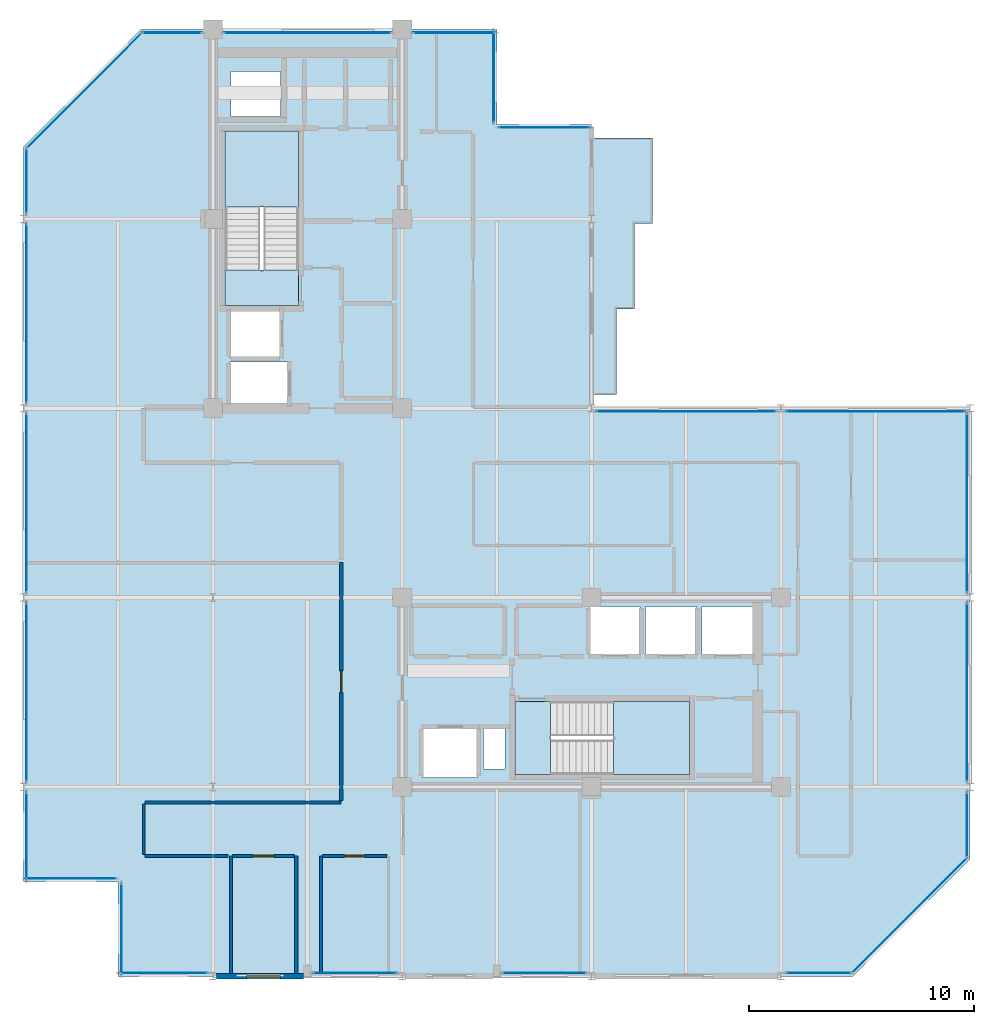
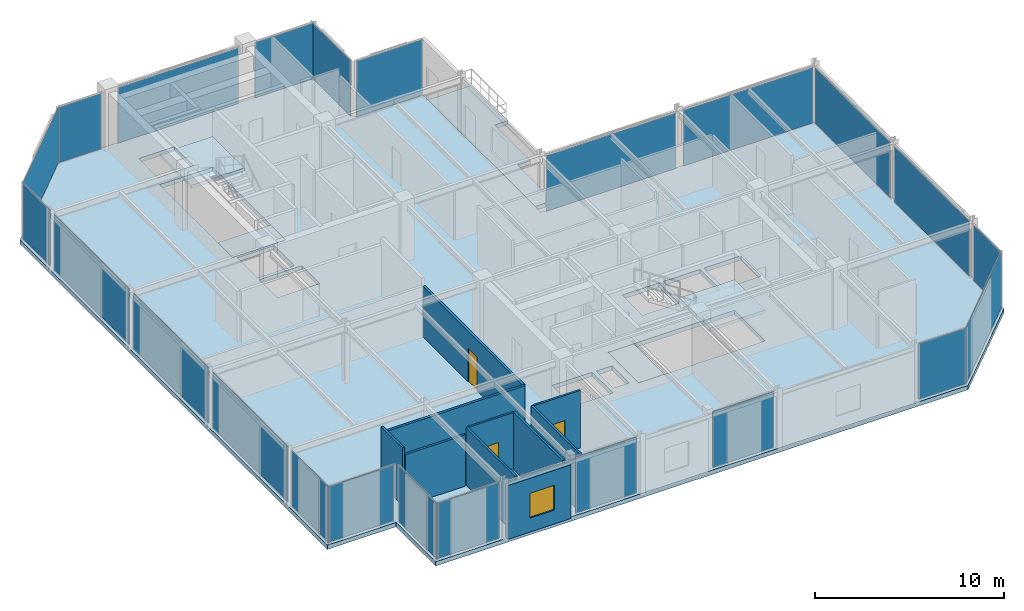
# One storey, part 20 of 26: 23 plates, 10 walls, 6 slabs, 3 doors, 1 window, 4 openings, 25 elements without a shape of their own.
"""IFC4 building model written with IfcOpenShell, lengths in metres."""

from ifc_helpers import new_model, si_unit, direction, frame, frame_2d, origin, origin_2d, place, context, subcontext, project, spatial, polyline, rectangle, outline, extrude, material, layer, layer_set, type_object, element, fill, aggregate, save


model = new_model("IFC4")

# Units and contexts
model_context = context("Model", 3, precision=1e-05, world=origin(), true_north=direction((0.0, 1.0)))
body_context = subcontext(model_context, "Body", "Model", "MODEL_VIEW")
ifc_project = project(units=[si_unit("LENGTHUNIT", "METRE"), si_unit("AREAUNIT", "SQUARE_METRE"), si_unit("VOLUMEUNIT", "CUBIC_METRE"), si_unit("PLANEANGLEUNIT", "RADIAN"), si_unit("MASSUNIT", "GRAM", prefix="KILO")], contexts=[model_context])

# Site, building, storey
site_placement = place(None, origin())
site = spatial("IfcSite", under=ifc_project, at=site_placement, CompositionType="ELEMENT")
building_placement = place(site_placement, origin())
building = spatial("IfcBuilding", under=site, at=building_placement, Name="Nerrivon Quay Data Exchange", CompositionType="ELEMENT")
storey_placement = place(building_placement, frame((0.0, 0.0, 250.199951171875)))
storey = spatial("IfcBuildingStorey", under=building, at=storey_placement, Name="L59", CompositionType="ELEMENT", Elevation=250.199951171875)

# Curtain wall, plate
ifc_material_1 = material(Name="Anodised aluminium 6063-T6", Category="aluminium")
ifc_layer_1 = layer(ifc_material_1, 0.195068359375)
ifc_layer_set_1 = layer_set([ifc_layer_1], Name="Anodised aluminium 6063-T6")
curtain_wall_type = type_object("IfcCurtainWallType", Name="CW-SYS-06", PredefinedType="NOTDEFINED", material=ifc_layer_set_1)
curtain_wall_1_placement = place(storey_placement, origin())
curtain_wall_1 = element("IfcCurtainWall", 1, at=curtain_wall_1_placement, inside=storey, type_object=curtain_wall_type, Name="L59 Unitised Curtain Wall 1", PredefinedType="NOTDEFINED")
ifc_material_2 = material(Name="Double-glazed low-E solar control glass", Category="glass")
ifc_layer_2 = layer(ifc_material_2, 0.028076171875)
ifc_layer_set_2 = layer_set([ifc_layer_2], Name="Double-glazed low-E solar control glass")
plate_type = type_object("IfcPlateType", Name="CWP-GLZ-28", PredefinedType="CURTAIN_PANEL", material=ifc_layer_set_2)
plate_1_placement = place(storey_placement, frame((39.301025390625, 2.698974609375, 0.06494140625), z_axis=(0.0, 0.0, 1.0), x_axis=(-0.707106781187, -0.707106781187, 0.0)))
plate_1 = element("IfcPlate", 2, at=plate_1_placement, type_object=plate_type, Name="CW06 panel 1.1", PredefinedType="CURTAIN_PANEL", context=body_context, shape_type="SweptSolid", body=[
    extrude(rectangle(XDim=7.203857421875, YDim=0.028076171875, at=origin_2d()), origin(), (0.0, 0.0, 1.0), 3.594970703125),
])
aggregate(curtain_wall_1, [plate_1])

curtain_wall_2_placement = place(storey_placement, origin())
curtain_wall_2 = element("IfcCurtainWall", 3, at=curtain_wall_2_placement, inside=storey, type_object=curtain_wall_type, Name="L59 Unitised Curtain Wall 2", PredefinedType="NOTDEFINED")
plate_2_placement = place(storey_placement, frame((35.27783203125, 0.139892578125, 0.06494140625), z_axis=(0.0, 0.0, 1.0), x_axis=(-1.0, 0.0, 0.0)))
plate_2 = element("IfcPlate", 4, at=plate_2_placement, type_object=plate_type, Name="CW06 panel 1.1", PredefinedType="CURTAIN_PANEL", context=body_context, shape_type="SweptSolid", body=[
    extrude(rectangle(XDim=2.89453125, YDim=0.028076171875, at=origin_2d()), origin(), (0.0, 0.0, 1.0), 3.594970703125),
])
aggregate(curtain_wall_2, [plate_2])

curtain_wall_3_placement = place(storey_placement, origin())
curtain_wall_3 = element("IfcCurtainWall", 5, at=curtain_wall_3_placement, inside=storey, type_object=curtain_wall_type, Name="L59 Unitised Curtain Wall 4", PredefinedType="NOTDEFINED")
plate_3_placement = place(storey_placement, frame((23.10986328125, 0.139892578125, 0.06494140625), z_axis=(0.0, 0.0, 1.0), x_axis=(-1.0, 0.0, 0.0)))
plate_3 = element("IfcPlate", 6, at=plate_3_placement, type_object=plate_type, Name="CW06 panel 1.1", PredefinedType="CURTAIN_PANEL", context=body_context, shape_type="SweptSolid", body=[
    extrude(rectangle(XDim=3.719482421875, YDim=0.028076171875, at=origin_2d()), origin(), (0.0, 0.0, 1.0), 3.594970703125),
])
aggregate(curtain_wall_3, [plate_3])

curtain_wall_4_placement = place(storey_placement, origin())
curtain_wall_4 = element("IfcCurtainWall", 7, at=curtain_wall_4_placement, inside=storey, type_object=curtain_wall_type, Name="L59 Unitised Curtain Wall 6", PredefinedType="NOTDEFINED")
plate_4_placement = place(storey_placement, frame((14.709716796875, 0.139892578125, 0.06494140625), z_axis=(0.0, 0.0, 1.0), x_axis=(-1.0, 0.0, 0.0)))
plate_4 = element("IfcPlate", 8, at=plate_4_placement, type_object=plate_type, Name="CW06 panel 1.1", PredefinedType="CURTAIN_PANEL", context=body_context, shape_type="SweptSolid", body=[
    extrude(rectangle(XDim=3.719482421875, YDim=0.028076171875, at=origin_2d()), origin(), (0.0, 0.0, 1.0), 3.594970703125),
])
aggregate(curtain_wall_4, [plate_4])

curtain_wall_5_placement = place(storey_placement, origin())
curtain_wall_5 = element("IfcCurtainWall", 9, at=curtain_wall_5_placement, inside=storey, type_object=curtain_wall_type, Name="L59 Unitised Curtain Wall 8", PredefinedType="NOTDEFINED")
plate_5_placement = place(storey_placement, frame((6.22216796875, 0.139892578125, 0.06494140625), z_axis=(0.0, 0.0, 1.0), x_axis=(-1.0, 0.0, 0.0)))
plate_5 = element("IfcPlate", 10, at=plate_5_placement, type_object=plate_type, Name="CW06 panel 1.1", PredefinedType="CURTAIN_PANEL", context=body_context, shape_type="SweptSolid", body=[
    extrude(rectangle(XDim=3.89453125, YDim=0.028076171875, at=origin_2d()), origin(), (0.0, 0.0, 1.0), 3.594970703125),
])
aggregate(curtain_wall_5, [plate_5])

curtain_wall_6_placement = place(storey_placement, origin())
curtain_wall_6 = element("IfcCurtainWall", 11, at=curtain_wall_6_placement, inside=storey, type_object=curtain_wall_type, Name="L59 Unitised Curtain Wall 9", PredefinedType="NOTDEFINED")
plate_6_placement = place(storey_placement, frame((4.340087890625, 2.10009765625, 0.06494140625), z_axis=(0.0, 0.0, 1.0), x_axis=(0.0, 1.0, 0.0)))
plate_6 = element("IfcPlate", 12, at=plate_6_placement, type_object=plate_type, Name="CW06 panel 1.1", PredefinedType="CURTAIN_PANEL", context=body_context, shape_type="SweptSolid", body=[
    extrude(rectangle(XDim=4.050048828125, YDim=0.028076171875, at=origin_2d()), origin(), (0.0, 0.0, 1.0), 3.594970703125),
])
aggregate(curtain_wall_6, [plate_6])

curtain_wall_7_placement = place(storey_placement, origin())
curtain_wall_7 = element("IfcCurtainWall", 13, at=curtain_wall_7_placement, inside=storey, type_object=curtain_wall_type, Name="L59 Unitised Curtain Wall 10", PredefinedType="NOTDEFINED")
plate_7_placement = place(storey_placement, frame((2.10009765625, 4.340087890625, 0.06494140625), z_axis=(0.0, 0.0, 1.0), x_axis=(-1.0, 0.0, 0.0)))
plate_7 = element("IfcPlate", 14, at=plate_7_placement, type_object=plate_type, Name="CW06 panel 1.1", PredefinedType="CURTAIN_PANEL", context=body_context, shape_type="SweptSolid", body=[
    extrude(rectangle(XDim=4.050048828125, YDim=0.028076171875, at=origin_2d()), origin(), (0.0, 0.0, 1.0), 3.594970703125),
])
aggregate(curtain_wall_7, [plate_7])

curtain_wall_8_placement = place(storey_placement, origin())
curtain_wall_8 = element("IfcCurtainWall", 15, at=curtain_wall_8_placement, inside=storey, type_object=curtain_wall_type, Name="L59 Unitised Curtain Wall 11", PredefinedType="NOTDEFINED")
plate_8_placement = place(storey_placement, frame((0.139892578125, 6.21826171875, 0.06494140625), z_axis=(0.0, 0.0, 1.0), x_axis=(0.0, 1.0, 0.0)))
plate_8 = element("IfcPlate", 16, at=plate_8_placement, type_object=plate_type, Name="CW06 panel 1.1", PredefinedType="CURTAIN_PANEL", context=body_context, shape_type="SweptSolid", body=[
    extrude(rectangle(XDim=3.886474609375, YDim=0.028076171875, at=origin_2d()), origin(), (0.0, 0.0, 1.0), 3.594970703125),
])
aggregate(curtain_wall_8, [plate_8])

curtain_wall_9_placement = place(storey_placement, origin())
curtain_wall_9 = element("IfcCurtainWall", 17, at=curtain_wall_9_placement, inside=storey, type_object=curtain_wall_type, Name="L59 Unitised Curtain Wall 12", PredefinedType="NOTDEFINED")
plate_9_placement = place(storey_placement, frame((0.139892578125, 12.60009765625, 0.06494140625), z_axis=(0.0, 0.0, 1.0), x_axis=(0.0, 1.0, 0.0)))
plate_9 = element("IfcPlate", 18, at=plate_9_placement, type_object=plate_type, Name="CW06 panel 1.1", PredefinedType="CURTAIN_PANEL", context=body_context, shape_type="SweptSolid", body=[
    extrude(rectangle(XDim=7.923095703125, YDim=0.028076171875, at=origin_2d()), origin(), (0.0, 0.0, 1.0), 3.594970703125),
])
aggregate(curtain_wall_9, [plate_9])

curtain_wall_10_placement = place(storey_placement, origin())
curtain_wall_10 = element("IfcCurtainWall", 19, at=curtain_wall_10_placement, inside=storey, type_object=curtain_wall_type, Name="L59 Unitised Curtain Wall 13", PredefinedType="NOTDEFINED")
plate_10_placement = place(storey_placement, frame((0.139892578125, 21.0, 0.06494140625), z_axis=(0.0, 0.0, 1.0), x_axis=(0.0, 1.0, 0.0)))
plate_10 = element("IfcPlate", 20, at=plate_10_placement, type_object=plate_type, Name="CW06 panel 1.1", PredefinedType="CURTAIN_PANEL", context=body_context, shape_type="SweptSolid", body=[
    extrude(rectangle(XDim=7.923095703125, YDim=0.028076171875, at=origin_2d()), origin(), (0.0, 0.0, 1.0), 3.594970703125),
])
aggregate(curtain_wall_10, [plate_10])

curtain_wall_11_placement = place(storey_placement, origin())
curtain_wall_11 = element("IfcCurtainWall", 21, at=curtain_wall_11_placement, inside=storey, type_object=curtain_wall_type, Name="L59 Unitised Curtain Wall 14", PredefinedType="NOTDEFINED")
plate_11_placement = place(storey_placement, frame((0.139892578125, 29.39990234375, 0.06494140625), z_axis=(0.0, 0.0, 1.0), x_axis=(0.0, 1.0, 0.0)))
plate_11 = element("IfcPlate", 22, at=plate_11_placement, type_object=plate_type, Name="CW06 panel 1.1", PredefinedType="CURTAIN_PANEL", context=body_context, shape_type="SweptSolid", body=[
    extrude(rectangle(XDim=7.923095703125, YDim=0.028076171875, at=origin_2d()), origin(), (0.0, 0.0, 1.0), 3.594970703125),
])
aggregate(curtain_wall_11, [plate_11])

curtain_wall_12_placement = place(storey_placement, origin())
curtain_wall_12 = element("IfcCurtainWall", 23, at=curtain_wall_12_placement, inside=storey, type_object=curtain_wall_type, Name="L59 Unitised Curtain Wall 15", PredefinedType="NOTDEFINED")
plate_12_placement = place(storey_placement, frame((0.139892578125, 35.28173828125, 0.06494140625), z_axis=(0.0, 0.0, 1.0), x_axis=(0.0, 1.0, 0.0)))
plate_12 = element("IfcPlate", 24, at=plate_12_placement, type_object=plate_type, Name="CW06 panel 1.1", PredefinedType="CURTAIN_PANEL", context=body_context, shape_type="SweptSolid", body=[
    extrude(rectangle(XDim=2.886474609375, YDim=0.028076171875, at=origin_2d()), origin(), (0.0, 0.0, 1.0), 3.594970703125),
])
aggregate(curtain_wall_12, [plate_12])

curtain_wall_13_placement = place(storey_placement, origin())
curtain_wall_13 = element("IfcCurtainWall", 25, at=curtain_wall_13_placement, inside=storey, type_object=curtain_wall_type, Name="L59 Unitised Curtain Wall 16", PredefinedType="NOTDEFINED")
plate_13_placement = place(storey_placement, frame((2.698974609375, 39.301025390625, 0.06494140625), z_axis=(0.0, 0.0, 1.0), x_axis=(0.707106781187, 0.707106781187, 0.0)))
plate_13 = element("IfcPlate", 26, at=plate_13_placement, type_object=plate_type, Name="CW06 panel 1.1", PredefinedType="CURTAIN_PANEL", context=body_context, shape_type="SweptSolid", body=[
    extrude(rectangle(XDim=7.203857421875, YDim=0.028076171875, at=origin_2d()), origin(), (0.0, 0.0, 1.0), 3.594970703125),
])
aggregate(curtain_wall_13, [plate_13])

curtain_wall_14_placement = place(storey_placement, origin())
curtain_wall_14 = element("IfcCurtainWall", 27, at=curtain_wall_14_placement, inside=storey, type_object=curtain_wall_type, Name="L59 Unitised Curtain Wall 17", PredefinedType="NOTDEFINED")
plate_14_placement = place(storey_placement, frame((6.58740234375, 41.860107421875, 0.06494140625), z_axis=(0.0, 0.0, 1.0), x_axis=(1.0, 0.0, 0.0)))
plate_14 = element("IfcPlate", 28, at=plate_14_placement, type_object=plate_type, Name="CW06 panel 1.1", PredefinedType="CURTAIN_PANEL", context=body_context, shape_type="SweptSolid", body=[
    extrude(rectangle(XDim=2.625, YDim=0.028076171875, at=origin_2d()), origin(), (0.0, 0.0, 1.0), 3.594970703125),
])
aggregate(curtain_wall_14, [plate_14])

curtain_wall_15_placement = place(storey_placement, origin())
curtain_wall_15 = element("IfcCurtainWall", 29, at=curtain_wall_15_placement, inside=storey, type_object=curtain_wall_type, Name="L59 Unitised Curtain Wall 18", PredefinedType="NOTDEFINED")
plate_15_placement = place(storey_placement, frame((12.60009765625, 41.860107421875, 0.06494140625), z_axis=(0.0, 0.0, 1.0), x_axis=(1.0, 0.0, 0.0)))
plate_15 = element("IfcPlate", 30, at=plate_15_placement, type_object=plate_type, Name="CW06 panel 1.1", PredefinedType="CURTAIN_PANEL", context=body_context, shape_type="SweptSolid", body=[
    extrude(rectangle(XDim=7.39990234375, YDim=0.028076171875, at=origin_2d()), origin(), (0.0, 0.0, 1.0), 3.594970703125),
])
aggregate(curtain_wall_15, [plate_15])

curtain_wall_16_placement = place(storey_placement, origin())
curtain_wall_16 = element("IfcCurtainWall", 31, at=curtain_wall_16_placement, inside=storey, type_object=curtain_wall_type, Name="L59 Unitised Curtain Wall 19", PredefinedType="NOTDEFINED")
plate_16_placement = place(storey_placement, frame((19.112548828125, 41.860107421875, 0.06494140625), z_axis=(0.0, 0.0, 1.0), x_axis=(1.0, 0.0, 0.0)))
plate_16 = element("IfcPlate", 32, at=plate_16_placement, type_object=plate_type, Name="CW06 panel 1.1", PredefinedType="CURTAIN_PANEL", context=body_context, shape_type="SweptSolid", body=[
    extrude(rectangle(XDim=3.625, YDim=0.028076171875, at=origin_2d()), origin(), (0.0, 0.0, 1.0), 3.594970703125),
])
aggregate(curtain_wall_16, [plate_16])

curtain_wall_17_placement = place(storey_placement, origin())
curtain_wall_17 = element("IfcCurtainWall", 33, at=curtain_wall_17_placement, inside=storey, type_object=curtain_wall_type, Name="L59 Unitised Curtain Wall 20", PredefinedType="NOTDEFINED")
plate_17_placement = place(storey_placement, frame((20.860107421875, 39.89990234375, 0.06494140625), z_axis=(0.0, 0.0, 1.0), x_axis=(0.0, -1.0, 0.0)))
plate_17 = element("IfcPlate", 34, at=plate_17_placement, type_object=plate_type, Name="CW06 panel 1.1", PredefinedType="CURTAIN_PANEL", context=body_context, shape_type="SweptSolid", body=[
    extrude(rectangle(XDim=4.050048828125, YDim=0.028076171875, at=origin_2d()), origin(), (0.0, 0.0, 1.0), 3.594970703125),
])
aggregate(curtain_wall_17, [plate_17])

curtain_wall_18_placement = place(storey_placement, origin())
curtain_wall_18 = element("IfcCurtainWall", 35, at=curtain_wall_18_placement, inside=storey, type_object=curtain_wall_type, Name="L59 Unitised Curtain Wall 21", PredefinedType="NOTDEFINED")
plate_18_placement = place(storey_placement, frame((23.10009765625, 37.659912109375, 0.06494140625), z_axis=(0.0, 0.0, 1.0), x_axis=(1.0, 0.0, 0.0)))
plate_18 = element("IfcPlate", 36, at=plate_18_placement, type_object=plate_type, Name="CW06 panel 1.1", PredefinedType="CURTAIN_PANEL", context=body_context, shape_type="SweptSolid", body=[
    extrude(rectangle(XDim=4.050048828125, YDim=0.028076171875, at=origin_2d()), origin(), (0.0, 0.0, 1.0), 3.594970703125),
])
aggregate(curtain_wall_18, [plate_18])

curtain_wall_19_placement = place(storey_placement, origin())
curtain_wall_19 = element("IfcCurtainWall", 37, at=curtain_wall_19_placement, inside=storey, type_object=curtain_wall_type, Name="L59 Unitised Curtain Wall 24", PredefinedType="NOTDEFINED")
plate_19_placement = place(storey_placement, frame((29.39990234375, 25.06005859375, 0.06494140625), z_axis=(0.0, 0.0, 1.0), x_axis=(1.0, 0.0, 0.0)))
plate_19 = element("IfcPlate", 38, at=plate_19_placement, type_object=plate_type, Name="CW06 panel 1.1", PredefinedType="CURTAIN_PANEL", context=body_context, shape_type="SweptSolid", body=[
    extrude(rectangle(XDim=7.93896484375, YDim=0.028076171875, at=origin_2d()), origin(), (0.0, 0.0, 1.0), 3.594970703125),
])
aggregate(curtain_wall_19, [plate_19])

curtain_wall_20_placement = place(storey_placement, origin())
curtain_wall_20 = element("IfcCurtainWall", 39, at=curtain_wall_20_placement, inside=storey, type_object=curtain_wall_type, Name="L59 Unitised Curtain Wall 25", PredefinedType="NOTDEFINED")
plate_20_placement = place(storey_placement, frame((37.800048828125, 25.06005859375, 0.06494140625), z_axis=(0.0, 0.0, 1.0), x_axis=(1.0, 0.0, 0.0)))
plate_20 = element("IfcPlate", 40, at=plate_20_placement, type_object=plate_type, Name="CW06 panel 1.1", PredefinedType="CURTAIN_PANEL", context=body_context, shape_type="SweptSolid", body=[
    extrude(rectangle(XDim=7.93896484375, YDim=0.028076171875, at=origin_2d()), origin(), (0.0, 0.0, 1.0), 3.594970703125),
])
aggregate(curtain_wall_20, [plate_20])

curtain_wall_21_placement = place(storey_placement, origin())
curtain_wall_21 = element("IfcCurtainWall", 41, at=curtain_wall_21_placement, inside=storey, type_object=curtain_wall_type, Name="L59 Unitised Curtain Wall 26", PredefinedType="NOTDEFINED")
plate_21_placement = place(storey_placement, frame((41.860107421875, 21.0, 0.06494140625), z_axis=(0.0, 0.0, 1.0), x_axis=(0.0, -1.0, 0.0)))
plate_21 = element("IfcPlate", 42, at=plate_21_placement, type_object=plate_type, Name="CW06 panel 1.1", PredefinedType="CURTAIN_PANEL", context=body_context, shape_type="SweptSolid", body=[
    extrude(rectangle(XDim=7.923095703125, YDim=0.028076171875, at=origin_2d()), origin(), (0.0, 0.0, 1.0), 3.594970703125),
])
aggregate(curtain_wall_21, [plate_21])

curtain_wall_22_placement = place(storey_placement, origin())
curtain_wall_22 = element("IfcCurtainWall", 43, at=curtain_wall_22_placement, inside=storey, type_object=curtain_wall_type, Name="L59 Unitised Curtain Wall 27", PredefinedType="NOTDEFINED")
plate_22_placement = place(storey_placement, frame((41.860107421875, 12.60009765625, 0.06494140625), z_axis=(0.0, 0.0, 1.0), x_axis=(0.0, -1.0, 0.0)))
plate_22 = element("IfcPlate", 44, at=plate_22_placement, type_object=plate_type, Name="CW06 panel 1.1", PredefinedType="CURTAIN_PANEL", context=body_context, shape_type="SweptSolid", body=[
    extrude(rectangle(XDim=7.923095703125, YDim=0.028076171875, at=origin_2d()), origin(), (0.0, 0.0, 1.0), 3.594970703125),
])
aggregate(curtain_wall_22, [plate_22])

curtain_wall_23_placement = place(storey_placement, origin())
curtain_wall_23 = element("IfcCurtainWall", 45, at=curtain_wall_23_placement, inside=storey, type_object=curtain_wall_type, Name="L59 Unitised Curtain Wall 28", PredefinedType="NOTDEFINED")
plate_23_placement = place(storey_placement, frame((41.860107421875, 6.71826171875, 0.06494140625), z_axis=(0.0, 0.0, 1.0), x_axis=(0.0, -1.0, 0.0)))
plate_23 = element("IfcPlate", 46, at=plate_23_placement, type_object=plate_type, Name="CW06 panel 1.1", PredefinedType="CURTAIN_PANEL", context=body_context, shape_type="SweptSolid", body=[
    extrude(rectangle(XDim=2.886474609375, YDim=0.028076171875, at=origin_2d()), origin(), (0.0, 0.0, 1.0), 3.594970703125),
])
aggregate(curtain_wall_23, [plate_23])

# Slab
ifc_material_3 = material(Name="Precast white architectural concrete N50 (50 MPa)", Category="concrete")
ifc_layer_3 = layer(ifc_material_3, 0.25)
ifc_layer_set_3 = layer_set([ifc_layer_3], Name="Precast white architectural concrete N50 (50 MPa)")
slab_type_1 = type_object("IfcSlabType", Name="SLB-BAL-250", PredefinedType="FLOOR", material=ifc_layer_set_3)
slab_1_placement = place(storey_placement, frame((0.0, 0.0, -0.25)))
element("IfcSlab", 47, at=slab_1_placement, inside=storey, type_object=slab_type_1, Name="L59 Waterfront Subtropical Verandah", PredefinedType="FLOOR", context=body_context, shape_type="SweptSolid", body=[
    extrude(outline(polyline([(26.300048828125, 29.60009765625), (27.10009765625, 29.60009765625), (27.10009765625, 33.39990234375), (27.89990234375, 33.39990234375), (27.89990234375, 37.199951171875), (25.199951171875, 37.199951171875), (25.199951171875, 33.39990234375), (25.199951171875, 29.60009765625), (25.199951171875, 25.800048828125), (26.300048828125, 25.800048828125), (26.300048828125, 29.60009765625)])), origin(), (0.0, 0.0, 1.0), 0.25),
])

# Stair, slab
ifc_material_4 = material(Name="Concrete N50 (50 MPa)", Category="concrete")
stair_type = type_object("IfcStairType", Name="STAIR-DOG-40", PredefinedType="HALF_TURN_STAIR", material=ifc_material_4)
stair_1_placement = place(storey_placement, origin())
stair_1 = element("IfcStair", 48, at=stair_1_placement, inside=storey, type_object=stair_type, Name="L59 West Core Fire Stair ST01", PredefinedType="HALF_TURN_STAIR")
ifc_layer_4 = layer(ifc_material_4, 0.199951171875)
ifc_layer_set_4 = layer_set([ifc_layer_4], Name="Concrete N50 (50 MPa)")
slab_type_2 = type_object("IfcSlabType", Name="SLB-LAND-200", PredefinedType="LANDING", material=ifc_layer_set_4)
slab_2_placement = place(storey_placement, frame((0.0, 0.0, 1.800048828125)))
slab_2 = element("IfcSlab", 49, at=slab_2_placement, type_object=slab_type_2, Name="ST01 landing 1", PredefinedType="LANDING", context=body_context, shape_type="SweptSolid", body=[
    extrude(outline(polyline([(12.199951171875, 34.1298828125), (12.199951171875, 37.5), (8.949951171875, 37.5), (8.949951171875, 34.1298828125), (12.199951171875, 34.1298828125)])), origin(), (0.0, 0.0, 1.0), 0.199951171875),
])
aggregate(stair_1, [slab_2])

# Slab
slab_3_placement = place(storey_placement, frame((0.0, 0.0, -0.199951171875)))
element("IfcSlab", 50, at=slab_3_placement, inside=storey, type_object=slab_type_2, Name="L59 ST01 floor landing", PredefinedType="LANDING", context=body_context, shape_type="SweptSolid", body=[
    extrude(outline(polyline([(12.199951171875, 29.75), (12.199951171875, 31.330078125), (8.949951171875, 31.330078125), (8.949951171875, 29.75), (12.199951171875, 29.75)])), origin(), (0.0, 0.0, 1.0), 0.199951171875),
])

# Stair, slab
stair_2_placement = place(storey_placement, origin())
stair_2 = element("IfcStair", 51, at=stair_2_placement, inside=storey, type_object=stair_type, Name="L59 East Core Fire Stair ST02", PredefinedType="HALF_TURN_STAIR")
slab_4_placement = place(storey_placement, frame((0.0, 0.0, 1.800048828125)))
slab_4 = element("IfcSlab", 52, at=slab_4_placement, type_object=slab_type_2, Name="ST02 landing 1", PredefinedType="LANDING", context=body_context, shape_type="SweptSolid", body=[
    extrude(outline(polyline([(26.179931640625, 8.949951171875), (29.550048828125, 8.949951171875), (29.550048828125, 12.199951171875), (26.179931640625, 12.199951171875), (26.179931640625, 8.949951171875)])), origin(), (0.0, 0.0, 1.0), 0.199951171875),
])
aggregate(stair_2, [slab_4])

# Slabs
slab_5_placement = place(storey_placement, frame((0.0, 0.0, -0.199951171875)))
element("IfcSlab", 53, at=slab_5_placement, inside=storey, type_object=slab_type_2, Name="L59 ST02 floor landing", PredefinedType="LANDING", context=body_context, shape_type="SweptSolid", body=[
    extrude(outline(polyline([(21.800048828125, 8.949951171875), (23.3798828125, 8.949951171875), (23.3798828125, 12.199951171875), (21.800048828125, 12.199951171875), (21.800048828125, 8.949951171875)])), origin(), (0.0, 0.0, 1.0), 0.199951171875),
])
ifc_layer_5 = layer(ifc_material_4, 0.27490234375)
ifc_layer_set_5 = layer_set([ifc_layer_5], Name="Concrete N50 (50 MPa)")
slab_type_3 = type_object("IfcSlabType", Name="SLB-TOW-275", PredefinedType="FLOOR", material=ifc_layer_set_5)
slab_6_placement = place(storey_placement, frame((0.0, 0.0, -0.27490234375)))
element("IfcSlab", 54, at=slab_6_placement, inside=storey, type_object=slab_type_3, Name="L59 Primary Structural Slab", PredefinedType="FLOOR", context=body_context, shape_type="SweptSolid", body=[
    extrude(outline(polyline([(42.0, 25.199951171875), (25.199951171875, 25.199951171875), (25.199951171875, 37.800048828125), (21.0, 37.800048828125), (21.0, 42.0), (5.199951171875, 42.0), (0.0, 36.800048828125), (0.0, 4.199951171875), (4.199951171875, 4.199951171875), (4.199951171875, 0.0), (36.800048828125, 0.0), (42.0, 5.199951171875), (42.0, 25.199951171875)]), holes=[polyline([(8.949951171875, 29.75), (8.949951171875, 37.5), (12.199951171875, 37.5), (12.199951171875, 29.75), (8.949951171875, 29.75)]), polyline([(21.800048828125, 12.199951171875), (29.550048828125, 12.199951171875), (29.550048828125, 8.949951171875), (21.800048828125, 8.949951171875), (21.800048828125, 12.199951171875)]), polyline([(30.10009765625, 14.25), (30.10009765625, 16.39990234375), (32.35009765625, 16.39990234375), (32.35009765625, 14.25), (30.10009765625, 14.25)]), polyline([(27.60009765625, 14.25), (27.60009765625, 16.39990234375), (29.85009765625, 16.39990234375), (29.85009765625, 14.25), (27.60009765625, 14.25)]), polyline([(25.10009765625, 14.25), (25.10009765625, 16.39990234375), (27.35009765625, 16.39990234375), (27.35009765625, 14.25), (25.10009765625, 14.25)]), polyline([(20.39990234375, 9.199951171875), (20.39990234375, 11.0), (21.35009765625, 11.0), (21.35009765625, 9.199951171875), (20.39990234375, 9.199951171875)]), polyline([(17.699951171875, 8.830078125), (17.699951171875, 11.030029296875), (20.14990234375, 11.030029296875), (20.14990234375, 8.830078125), (17.699951171875, 8.830078125)]), polyline([(9.14990234375, 25.35009765625), (9.14990234375, 27.25), (11.75, 27.25), (11.75, 25.35009765625), (9.14990234375, 25.35009765625)]), polyline([(9.14990234375, 27.449951171875), (9.14990234375, 29.60009765625), (11.39990234375, 29.60009765625), (11.39990234375, 27.449951171875), (9.14990234375, 27.449951171875)]), polyline([(9.199951171875, 38.14990234375), (9.199951171875, 40.14990234375), (11.39990234375, 40.14990234375), (11.39990234375, 38.14990234375), (9.199951171875, 38.14990234375)])]), origin(), (0.0, 0.0, 1.0), 0.27490234375),
])

# Wall, opening, window
ifc_material_5 = material(Name="Architectural terracotta precast concrete N50 (50 MPa)", Category="masonry")
ifc_layer_6 = layer(ifc_material_5, 0.239990234375)
ifc_layer_set_6 = layer_set([ifc_layer_6], Name="Architectural terracotta precast concrete N50 (50 MPa)")
wall_type_1 = type_object("IfcWallType", Name="EW-PREC-240", PredefinedType="STANDARD", material=ifc_layer_set_6)
wall_1_placement = place(storey_placement, frame((12.425048828125, 0.0, 0.0), z_axis=(0.0, 0.0, 1.0), x_axis=(-1.0, 0.0, 0.0)))
wall_1 = element("IfcWall", 55, at=wall_1_placement, inside=storey, type_object=wall_type_1, Name="L59 Podium Precast Spandrel Wall 7", PredefinedType="STANDARD", context=body_context, shape_type="SweptSolid", body=[
    extrude(rectangle(XDim=3.86962890625, YDim=0.239990234375, at=frame_2d((1.934814453125, 0.0))), origin(), (0.0, 0.0, 1.0), 3.47509765625),
])
opening_1_placement = place(wall_1_placement, frame((1.02490234375, 0.0, 0.89990234375)))
opening_1 = element("IfcOpeningElement", 56, at=opening_1_placement, cuts=wall_1, Name="Opening WN4", PredefinedType="OPENING", context=body_context, shape_type="SweptSolid", body=[
    extrude(rectangle(XDim=1.5, YDim=1.60009765625, at=frame_2d((0.75, 0.800048828125))), frame((0.0, 0.1298828125, 0.0), z_axis=(0.0, -1.0, 0.0), x_axis=(1.0, 0.0, 0.0)), (0.0, 0.0, 1.0), 0.260009765625),
])
window_type = type_object("IfcWindowType", Name="WIN-W4-1500x1600", PartitioningType="SINGLE_PANEL", PredefinedType="WINDOW", material=ifc_material_2)
window_placement = place(opening_1_placement, origin())
window = element("IfcWindow", 57, at=window_placement, inside=storey, type_object=window_type, Name="L59 Solar Facade Window 7", OverallHeight=1.60009765625, OverallWidth=1.5, PartitioningType="SINGLE_PANEL", PredefinedType="WINDOW", context=body_context, shape_type="SweptSolid", body=[
    extrude(rectangle(XDim=1.5, YDim=1.60009765625, at=frame_2d((0.75, 0.800048828125))), frame((0.0, 0.030029296875, 0.0), z_axis=(0.0, -1.0, 0.0), x_axis=(1.0, 0.0, 0.0)), (0.0, 0.0, 1.0), 0.06005859375),
])
fill(opening_1, window)

# Wall, opening, door
ifc_material_6 = material(Name="Gypsum plasterboard on cold-formed framing", Category="gypsum")
ifc_layer_7 = layer(ifc_material_6, 0.1201171875)
ifc_layer_set_7 = layer_set([ifc_layer_7], Name="Gypsum plasterboard on cold-formed framing")
wall_type_2 = type_object("IfcWallType", Name="WALL-PT-120", PredefinedType="PARTITIONING", material=ifc_layer_set_7)
wall_2_placement = place(storey_placement, frame((16.12841796875, 5.340087890625, 0.0), z_axis=(0.0, 0.0, 1.0), x_axis=(-1.0, 0.0, 0.0)))
wall_2 = element("IfcWall", 58, at=wall_2_placement, inside=storey, type_object=wall_type_2, Name="L59 Partition Accessible Toilet", PredefinedType="PARTITIONING", context=body_context, shape_type="SweptSolid", body=[
    extrude(rectangle(XDim=2.85693359375, YDim=0.1201171875, at=frame_2d((1.428466796875, 0.0))), origin(), (0.0, 0.0, 1.0), 3.72509765625),
])
opening_2_placement = place(wall_2_placement, frame((0.968505859375, 0.0, 0.0)))
opening_2 = element("IfcOpeningElement", 59, at=opening_2_placement, cuts=wall_2, Name="Opening D-WC", PredefinedType="OPENING", context=body_context, shape_type="SweptSolid", body=[
    extrude(rectangle(XDim=0.919921875, YDim=2.10009765625, at=frame_2d((0.4599609375, 1.050048828125))), frame((0.0, 0.070068359375, 0.0), z_axis=(0.0, -1.0, 0.0), x_axis=(1.0, 0.0, 0.0)), (0.0, 0.0, 1.0), 0.14013671875),
])
ifc_material_7 = material(Name="Engineered hardwood timber", Category="wood")
door_type_1 = type_object("IfcDoorType", Name="DR-WC-920", OperationType="NOTDEFINED", PredefinedType="DOOR", material=ifc_material_7)
door_1_placement = place(opening_2_placement, origin())
door_1 = element("IfcDoor", 60, at=door_1_placement, inside=storey, type_object=door_type_1, Name="L59 Door Accessible Toilet", OperationType="SINGLE_SWING_LEFT", OverallHeight=2.10009765625, OverallWidth=0.919921875, PredefinedType="DOOR", context=body_context, shape_type="SweptSolid", body=[
    extrude(rectangle(XDim=0.919921875, YDim=2.10009765625, at=frame_2d((0.4599609375, 1.050048828125))), frame((0.0, 0.02490234375, 0.0), z_axis=(0.0, -1.0, 0.0), x_axis=(1.0, 0.0, 0.0)), (0.0, 0.0, 1.0), 0.050048828125),
])
fill(opening_2, door_1)

wall_3_placement = place(storey_placement, frame((12.028564453125, 5.340087890625, 0.0), z_axis=(0.0, 0.0, 1.0), x_axis=(-1.0, 0.0, 0.0)))
wall_3 = element("IfcWall", 61, at=wall_3_placement, inside=storey, type_object=wall_type_2, Name="L59 Partition Public Washrooms", PredefinedType="PARTITIONING", context=body_context, shape_type="SweptSolid", body=[
    extrude(rectangle(XDim=2.757080078125, YDim=0.1201171875, at=frame_2d((1.37841796875, 0.0))), origin(), (0.0, 0.0, 1.0), 3.72509765625),
])
opening_3_placement = place(wall_3_placement, frame((0.91845703125, 0.0, 0.0)))
opening_3 = element("IfcOpeningElement", 62, at=opening_3_placement, cuts=wall_3, Name="Opening D-WC", PredefinedType="OPENING", context=body_context, shape_type="SweptSolid", body=[
    extrude(rectangle(XDim=0.919921875, YDim=2.10009765625, at=frame_2d((0.4599609375, 1.050048828125))), frame((0.0, 0.070068359375, 0.0), z_axis=(0.0, -1.0, 0.0), x_axis=(1.0, 0.0, 0.0)), (0.0, 0.0, 1.0), 0.14013671875),
])
door_2_placement = place(opening_3_placement, origin())
door_2 = element("IfcDoor", 63, at=door_2_placement, inside=storey, type_object=door_type_1, Name="L59 Door Public Washrooms", OperationType="SINGLE_SWING_RIGHT", OverallHeight=2.10009765625, OverallWidth=0.919921875, PredefinedType="DOOR", context=body_context, shape_type="SweptSolid", body=[
    extrude(rectangle(XDim=0.919921875, YDim=2.10009765625, at=frame_2d((0.4599609375, 1.050048828125))), frame((0.0, 0.02490234375, 0.0), z_axis=(0.0, -1.0, 0.0), x_axis=(1.0, 0.0, 0.0)), (0.0, 0.0, 1.0), 0.050048828125),
])
fill(opening_3, door_2)

# Walls
wall_4_placement = place(storey_placement, frame((5.340087890625, 5.39990234375, 0.0), z_axis=(0.0, 0.0, 1.0), x_axis=(0.0, 1.0, 0.0)))
element("IfcWall", 64, at=wall_4_placement, inside=storey, type_object=wall_type_2, Name="L59 Partition Technical Library", PredefinedType="PARTITIONING", context=body_context, shape_type="SweptSolid", body=[
    extrude(rectangle(XDim=2.25, YDim=0.1201171875, at=frame_2d((1.125, 0.0))), origin(), (0.0, 0.0, 1.0), 3.72509765625),
])
ifc_layer_8 = layer(ifc_material_6, 0.135009765625)
ifc_layer_set_8 = layer_set([ifc_layer_8], Name="Gypsum plasterboard on cold-formed framing")
wall_type_3 = type_object("IfcWallType", Name="WALL-PT-135", PredefinedType="PARTITIONING", material=ifc_layer_set_8)
wall_5_placement = place(storey_placement, frame((13.199951171875, 5.340087890625, 0.0), z_axis=(0.0, 0.0, 1.0), x_axis=(0.0, -1.0, 0.0)))
element("IfcWall", 65, at=wall_5_placement, inside=storey, type_object=wall_type_3, Name="L59 Partition Accessible Toilet", PredefinedType="PARTITIONING", context=body_context, shape_type="SweptSolid", body=[
    extrude(rectangle(XDim=5.171142578125, YDim=0.135009765625, at=frame_2d((2.58544921875, 0.0))), origin(), (0.0, 0.0, 1.0), 3.72509765625),
])
for number, where, z_axis, x_axis, name in (
    (66, (9.199951171875, 5.340087890625, 0.0), (0.0, 0.0, 1.0), (0.0, -1.0, 0.0), "L59 Partition Public Washrooms"),
    (67, (12.10009765625, 0.1240234375, 0.0), (0.0, 0.0, 1.0), (0.0, 1.0, 0.0), "L59 Partition Public Washrooms"),
):
    element("IfcWall", number, at=place(storey_placement, frame(where, z_axis=z_axis, x_axis=x_axis)), inside=storey, type_object=wall_type_3, Name=name, PredefinedType="PARTITIONING", context=body_context, shape_type="SweptSolid", body=[
        extrude(rectangle(XDim=5.216064453125, YDim=0.135009765625, at=frame_2d((2.60791015625, 0.0))), origin(), (0.0, 0.0, 1.0), 3.72509765625),
    ])
wall_6_placement = place(storey_placement, frame((9.080078125, 5.340087890625, 0.0), z_axis=(0.0, 0.0, 1.0), x_axis=(-1.0, 0.0, 0.0)))
element("IfcWall", 68, at=wall_6_placement, inside=storey, type_object=wall_type_3, Name="L59 Partition Technical Library", PredefinedType="PARTITIONING", context=body_context, shape_type="SweptSolid", body=[
    extrude(rectangle(XDim=3.68017578125, YDim=0.135009765625, at=frame_2d((1.840087890625, 0.0))), origin(), (0.0, 0.0, 1.0), 3.319091796875),
])
ifc_layer_9 = layer(ifc_material_6, 0.14990234375)
ifc_layer_set_9 = layer_set([ifc_layer_9], Name="Gypsum plasterboard on cold-formed framing")
wall_type_4 = type_object("IfcWallType", Name="WALL-PT-150", PredefinedType="PARTITIONING", material=ifc_layer_set_9)
wall_7_placement = place(storey_placement, frame((5.39990234375, 7.7099609375, 0.0), z_axis=(0.0, 0.0, 1.0), x_axis=(1.0, 0.0, 0.0)))
element("IfcWall", 69, at=wall_7_placement, inside=storey, type_object=wall_type_4, Name="L59 Partition Technical Library", PredefinedType="PARTITIONING", context=body_context, shape_type="SweptSolid", body=[
    extrude(rectangle(XDim=8.690185546875, YDim=0.14990234375, at=frame_2d((4.34521484375, 0.0))), origin(), (0.0, 0.0, 1.0), 3.319091796875),
])

# Wall, opening, door
wall_8_placement = place(storey_placement, frame((14.090087890625, 7.7890625, 0.0), z_axis=(0.0, 0.0, 1.0), x_axis=(0.0, 1.0, 0.0)))
wall_8 = element("IfcWall", 70, at=wall_8_placement, inside=storey, type_object=wall_type_4, Name="L59 Partition Technical Library", PredefinedType="PARTITIONING", context=body_context, shape_type="SweptSolid", body=[
    extrude(rectangle(XDim=10.565673828125, YDim=0.14990234375, at=frame_2d((5.28271484375, 0.0))), origin(), (0.0, 0.0, 1.0), 3.27099609375),
])
opening_4_placement = place(wall_8_placement, frame((4.807861328125, 0.0, 0.0)))
opening_4 = element("IfcOpeningElement", 71, at=opening_4_placement, cuts=wall_8, Name="Opening D-01", PredefinedType="OPENING", context=body_context, shape_type="SweptSolid", body=[
    extrude(rectangle(XDim=0.949951171875, YDim=2.14990234375, at=frame_2d((0.47509765625, 1.074951171875))), frame((0.0, 0.0849609375, 0.0), z_axis=(0.0, -1.0, 0.0), x_axis=(1.0, 0.0, 0.0)), (0.0, 0.0, 1.0), 0.169921875),
])
door_type_2 = type_object("IfcDoorType", Name="DR-INT-950", OperationType="NOTDEFINED", PredefinedType="DOOR", material=ifc_material_7)
door_3_placement = place(opening_4_placement, origin())
door_3 = element("IfcDoor", 72, at=door_3_placement, inside=storey, type_object=door_type_2, Name="L59 Door Technical Library", OperationType="SINGLE_SWING_LEFT", OverallHeight=2.14990234375, OverallWidth=0.949951171875, PredefinedType="DOOR", context=body_context, shape_type="SweptSolid", body=[
    extrude(rectangle(XDim=0.949951171875, YDim=2.14990234375, at=frame_2d((0.47509765625, 1.074951171875))), frame((0.0, 0.02490234375, 0.0), z_axis=(0.0, -1.0, 0.0), x_axis=(1.0, 0.0, 0.0)), (0.0, 0.0, 1.0), 0.050048828125),
])
fill(opening_4, door_3)

save(model, "model.ifc")
